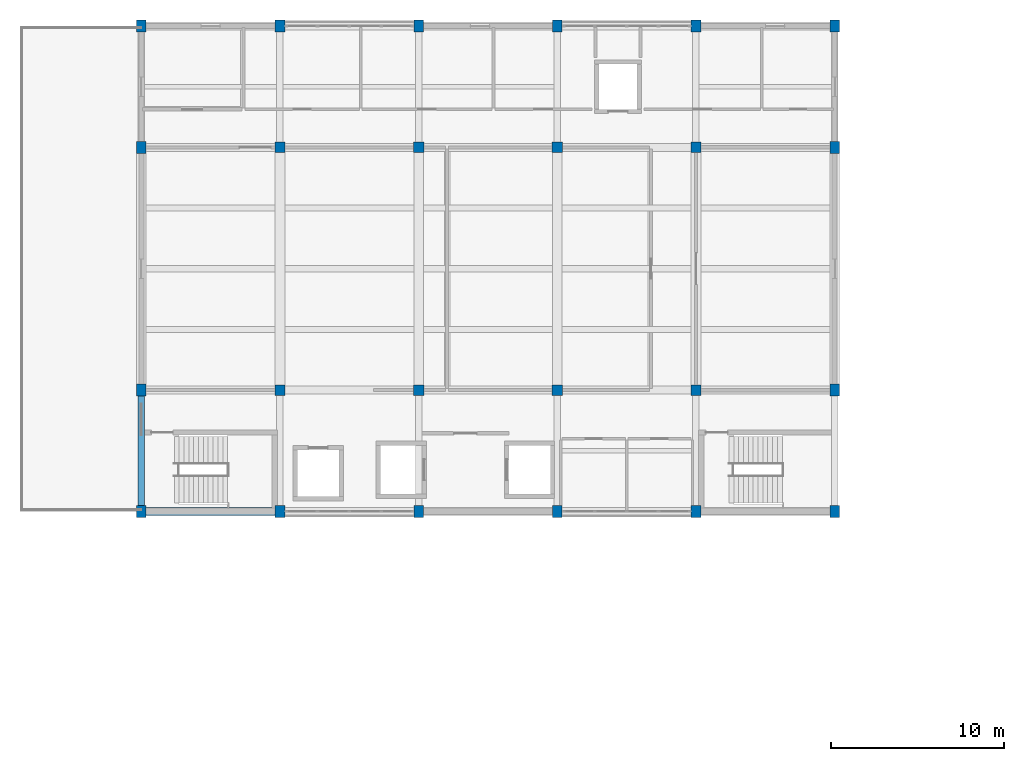
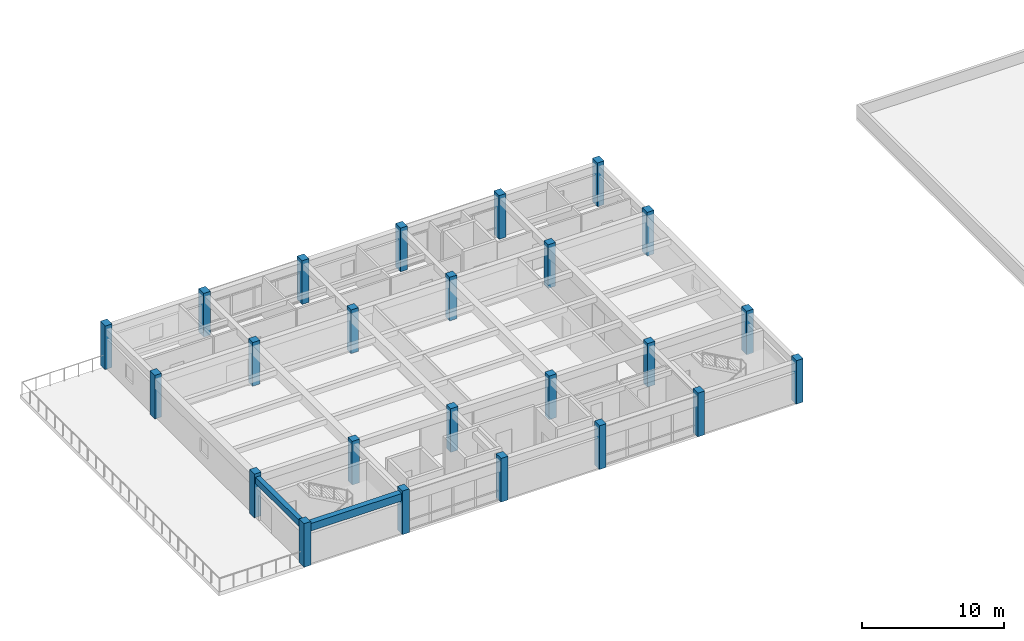
# One storey, part 1 of 10: 24 columns, 2 beams.
"""IFC4 building model written with IfcOpenShell, lengths in metres."""

from ifc_helpers import new_model, si_unit, direction, frame, origin, origin_2d, place, context, subcontext, project, spatial, rectangle, extrude, material, material_profile, profile_set, type_object, element, save


model = new_model("IFC4")

# Units and contexts
model_context = context("Model", 3, precision=1e-05, world=origin(), true_north=direction((0.0, 1.0)))
body_context = subcontext(model_context, "Body", "Model", "MODEL_VIEW")
ifc_project = project(units=[si_unit("LENGTHUNIT", "METRE"), si_unit("AREAUNIT", "SQUARE_METRE"), si_unit("VOLUMEUNIT", "CUBIC_METRE"), si_unit("PLANEANGLEUNIT", "RADIAN"), si_unit("MASSUNIT", "GRAM", prefix="KILO")], contexts=[model_context])

# Site, building, storey
site_placement = place(None, origin())
site = spatial("IfcSite", under=ifc_project, at=site_placement, CompositionType="ELEMENT")
building_placement = place(site_placement, origin())
building = spatial("IfcBuilding", under=site, at=building_placement, Name="Naurynzar Civic Courthouse", CompositionType="ELEMENT")
storey_placement = place(building_placement, frame((0.0, 0.0, 33.300048828125)))
storey = spatial("IfcBuildingStorey", under=building, at=storey_placement, Name="L09", CompositionType="ELEMENT", Elevation=33.300048828125)

# Columns
ifc_material_1 = material(Name="Concrete C40/50", Category="concrete")
ifc_material_profile_1 = material_profile(ifc_material_1, rectangle(XDim=0.550048828125, YDim=0.699951171875, at=origin_2d()), Name="RC 550x700")
ifc_profile_set_1 = profile_set([ifc_material_profile_1], Name="Concrete C40/50")
column_type_1 = type_object("IfcColumnType", Name="COL-RC-550x700", PredefinedType="COLUMN", material=ifc_profile_set_1)
for number, where, z_axis, x_axis, name in (
    (1, (69.0, 44.0, 0.0), (0.0, 0.0, 1.0), (1.0, 0.0, 0.0), "V2 column (69.0,44.0) L09"),
    (2, (69.0, 51.0, 0.0), (0.0, 0.0, 1.0), (1.0, 0.0, 0.0), "V2 column (69.0,51.0) L09"),
    (3, (69.0, 65.0, 0.0), (0.0, 0.0, 1.0), (1.0, 0.0, 0.0), "V2 column (69.0,65.0) L09"),
    (4, (69.0, 72.0, 0.0), (0.0, 0.0, 1.0), (1.0, 0.0, 0.0), "V2 column (69.0,72.0) L09"),
    (5, (77.0, 44.0, 0.0), (0.0, 0.0, 1.0), (1.0, 0.0, 0.0), "V2 column (77.0,44.0) L09"),
    (6, (77.0, 72.0, 0.0), (0.0, 0.0, 1.0), (1.0, 0.0, 0.0), "V2 column (77.0,72.0) L09"),
    (7, (85.0, 44.0, 0.0), (0.0, 0.0, 1.0), (1.0, 0.0, 0.0), "V2 column (85.0,44.0) L09"),
    (8, (85.0, 72.0, 0.0), (0.0, 0.0, 1.0), (1.0, 0.0, 0.0), "V2 column (85.0,72.0) L09"),
    (9, (93.0, 44.0, 0.0), (0.0, 0.0, 1.0), (1.0, 0.0, 0.0), "V2 column (93.0,44.0) L09"),
    (10, (93.0, 72.0, 0.0), (0.0, 0.0, 1.0), (1.0, 0.0, 0.0), "V2 column (93.0,72.0) L09"),
    (11, (101.0, 44.0, 0.0), (0.0, 0.0, 1.0), (1.0, 0.0, 0.0), "V2 column (101.0,44.0) L09"),
    (12, (101.0, 72.0, 0.0), (0.0, 0.0, 1.0), (1.0, 0.0, 0.0), "V2 column (101.0,72.0) L09"),
    (13, (109.0, 44.0, 0.0), (0.0, 0.0, 1.0), (1.0, 0.0, 0.0), "V2 column (109.0,44.0) L09"),
    (14, (109.0, 51.0, 0.0), (0.0, 0.0, 1.0), (1.0, 0.0, 0.0), "V2 column (109.0,51.0) L09"),
    (15, (109.0, 65.0, 0.0), (0.0, 0.0, 1.0), (1.0, 0.0, 0.0), "V2 column (109.0,65.0) L09"),
    (16, (109.0, 72.0, 0.0), (0.0, 0.0, 1.0), (1.0, 0.0, 0.0), "V2 column (109.0,72.0) L09"),
):
    element("IfcColumn", number, at=place(storey_placement, frame(where, z_axis=z_axis, x_axis=x_axis)), inside=storey, type_object=column_type_1, Name=name, PredefinedType="COLUMN", context=body_context, shape_type="SweptSolid", body=[
        extrude(rectangle(XDim=0.550048828125, YDim=0.699951171875, at=origin_2d()), origin(), (0.0, 0.0, 1.0), 3.75),
    ])
ifc_material_2 = material(Name="Concrete C40/50", Category="concrete")
ifc_material_profile_2 = material_profile(ifc_material_2, rectangle(XDim=0.60009765625, YDim=0.60009765625, at=origin_2d()), Name="RC 600x600")
ifc_profile_set_2 = profile_set([ifc_material_profile_2], Name="Concrete C40/50")
column_type_2 = type_object("IfcColumnType", Name="COL-RC-600", PredefinedType="COLUMN", material=ifc_profile_set_2)
for number, where, z_axis, x_axis, name in (
    (17, (77.0, 51.0, 0.0), (0.0, 0.0, 1.0), (1.0, 0.0, 0.0), "V2 column (77.0,51.0) L09"),
    (18, (77.0, 65.0, 0.0), (0.0, 0.0, 1.0), (1.0, 0.0, 0.0), "V2 column (77.0,65.0) L09"),
    (19, (85.0, 51.0, 0.0), (0.0, 0.0, 1.0), (1.0, 0.0, 0.0), "V2 column (85.0,51.0) L09"),
    (20, (85.0, 65.0, 0.0), (0.0, 0.0, 1.0), (1.0, 0.0, 0.0), "V2 column (85.0,65.0) L09"),
    (21, (93.0, 51.0, 0.0), (0.0, 0.0, 1.0), (1.0, 0.0, 0.0), "V2 column (93.0,51.0) L09"),
    (22, (93.0, 65.0, 0.0), (0.0, 0.0, 1.0), (1.0, 0.0, 0.0), "V2 column (93.0,65.0) L09"),
    (23, (101.0, 51.0, 0.0), (0.0, 0.0, 1.0), (1.0, 0.0, 0.0), "V2 column (101.0,51.0) L09"),
    (24, (101.0, 65.0, 0.0), (0.0, 0.0, 1.0), (1.0, 0.0, 0.0), "V2 column (101.0,65.0) L09"),
):
    element("IfcColumn", number, at=place(storey_placement, frame(where, z_axis=z_axis, x_axis=x_axis)), inside=storey, type_object=column_type_2, Name=name, PredefinedType="COLUMN", context=body_context, shape_type="SweptSolid", body=[
        extrude(rectangle(XDim=0.60009765625, YDim=0.60009765625, at=origin_2d()), origin(), (0.0, 0.0, 1.0), 3.75),
    ])

# Beams
ifc_material_3 = material(Name="Concrete C40/50", Category="concrete")
ifc_material_profile_3 = material_profile(ifc_material_3, rectangle(XDim=0.375, YDim=0.550048828125, at=origin_2d()), Name="RCB 375x550")
ifc_profile_set_3 = profile_set([ifc_material_profile_3], Name="Concrete C40/50")
beam_type_1 = type_object("IfcBeamType", Name="BM-RC-375x550", PredefinedType="BEAM", material=ifc_profile_set_3)
beam_1_placement = place(storey_placement, frame((69.0, 44.35009765625, 3.195068359375), z_axis=(0.0, 1.0, 0.0), x_axis=(-1.0, 0.0, 0.0)))
element("IfcBeam", 25, at=beam_1_placement, inside=storey, type_object=beam_type_1, Name="V2 girder Y-1090 L09", PredefinedType="BEAM", context=body_context, shape_type="SweptSolid", body=[
    extrude(rectangle(XDim=0.375, YDim=0.550048828125, at=origin_2d()), origin(), (0.0, 0.0, 1.0), 6.2998046875),
])
ifc_material_4 = material(Name="Concrete C40/50", Category="concrete")
ifc_material_profile_4 = material_profile(ifc_material_4, rectangle(XDim=0.449951171875, YDim=0.64990234375, at=origin_2d()), Name="RCB 450x650")
ifc_profile_set_4 = profile_set([ifc_material_profile_4], Name="Concrete C40/50")
beam_type_2 = type_object("IfcBeamType", Name="BM-RC-450x650", PredefinedType="BEAM", material=ifc_profile_set_4)
beam_2_placement = place(storey_placement, frame((69.27490234375, 44.0, 3.14501953125), z_axis=(1.0, 0.0, 0.0), x_axis=(0.0, 1.0, 0.0)))
element("IfcBeam", 26, at=beam_2_placement, inside=storey, type_object=beam_type_2, Name="V2 beam X-1070 L09", PredefinedType="BEAM", context=body_context, shape_type="SweptSolid", body=[
    extrude(rectangle(XDim=0.449951171875, YDim=0.64990234375, at=origin_2d()), origin(), (0.0, 0.0, 1.0), 7.4501953125),
])

save(model, "model.ifc")
